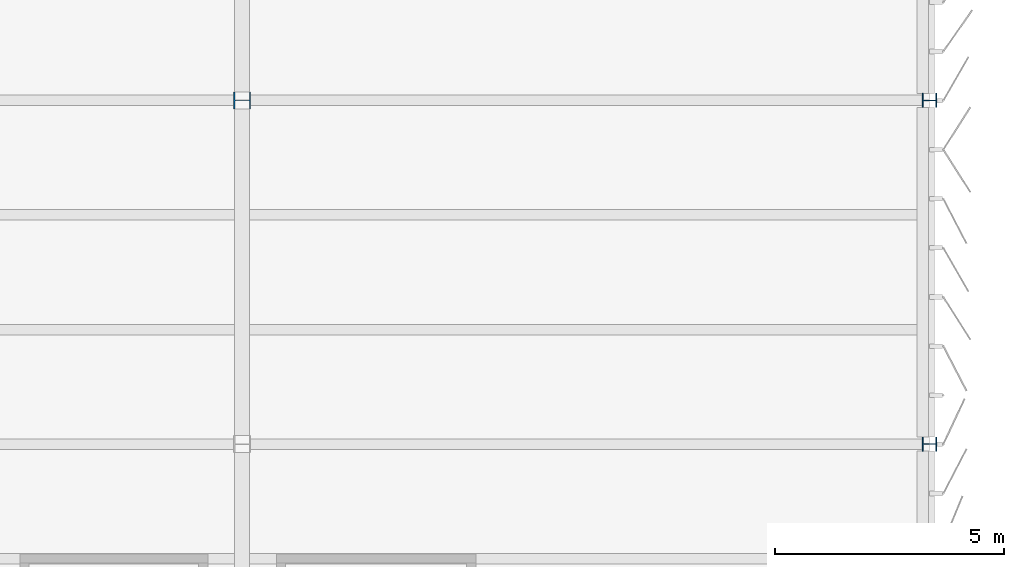
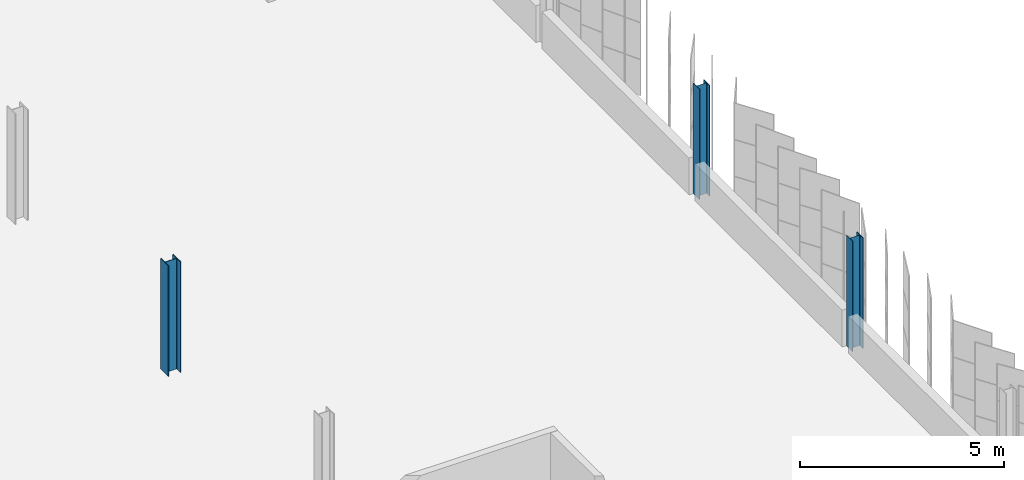
# One storey, part 18 of 199: 3 columns.
"""IFC4 building model written with IfcOpenShell, lengths in metres."""

from ifc_helpers import new_model, si_unit, direction, frame, origin, origin_2d, place, context, subcontext, project, spatial, i_section, extrude, material, material_profile, profile_set, type_object, element, save


model = new_model("IFC4")

# Units and contexts
model_context = context("Model", 3, precision=1e-05, world=origin(), true_north=direction((0.0, 1.0)))
body_context = subcontext(model_context, "Body", "Model", "MODEL_VIEW")
ifc_project = project(units=[si_unit("LENGTHUNIT", "METRE"), si_unit("AREAUNIT", "SQUARE_METRE"), si_unit("VOLUMEUNIT", "CUBIC_METRE"), si_unit("PLANEANGLEUNIT", "RADIAN"), si_unit("MASSUNIT", "GRAM", prefix="KILO")], contexts=[model_context])

# Site, building, storey
site_placement = place(None, origin())
site = spatial("IfcSite", under=ifc_project, at=site_placement, CompositionType="ELEMENT")
building_placement = place(site_placement, origin())
building = spatial("IfcBuilding", under=site, at=building_placement, Name="Parallax Yard Mobility Hub", CompositionType="ELEMENT")
storey_placement = place(building_placement, frame((0.0, 0.0, 9.89990234375)))
storey = spatial("IfcBuildingStorey", under=building, at=storey_placement, Name="L03", CompositionType="ELEMENT", Elevation=9.89990234375)

# Columns
ifc_material = material(Name="Steel ASTM A992", Category="steel")
ifc_material_profile_1 = material_profile(ifc_material, i_section(OverallWidth=0.304931640625, OverallDepth=0.306884765625, WebThickness=0.010009765625, FlangeThickness=0.015380859375, FilletRadius=0.01513671875, at=origin_2d()), Name="W310x97")
ifc_profile_set_1 = profile_set([ifc_material_profile_1], Name="Steel ASTM A992")
column_type_1 = type_object("IfcColumnType", Name="W310x97 column", PredefinedType="COLUMN", material=ifc_profile_set_1)
for number, where, z_axis, x_axis, name in (
    (1, (225.0, 67.5, 0.0), (0.0, 0.0, 1.0), (0.0, 1.0, 0.0), "Column C1 level L03 at K/31 of ramped parking decks"),
    (2, (225.0, 60.0, 0.0), (0.0, 0.0, 1.0), (0.0, 1.0, 0.0), "Column C1 level L03 at J/31 of ramped parking decks"),
):
    element("IfcColumn", number, at=place(storey_placement, frame(where, z_axis=z_axis, x_axis=x_axis)), inside=storey, type_object=column_type_1, Name=name, PredefinedType="COLUMN", context=body_context, shape_type="SweptSolid", body=[
        extrude(i_section(OverallWidth=0.304931640625, OverallDepth=0.306884765625, WebThickness=0.010009765625, FlangeThickness=0.015380859375, FilletRadius=0.01513671875, at=origin_2d()), origin(), (0.0, 0.0, 1.0), 3.300048828125),
    ])
ifc_material_profile_2 = material_profile(ifc_material, i_section(OverallWidth=0.373046875, OverallDepth=0.367919921875, WebThickness=0.014892578125, FlangeThickness=0.02392578125, FilletRadius=0.01513671875, at=origin_2d()), Name="W360x179")
ifc_profile_set_2 = profile_set([ifc_material_profile_2], Name="Steel ASTM A992")
column_type_2 = type_object("IfcColumnType", Name="W360x179 column", PredefinedType="COLUMN", material=ifc_profile_set_2)
column_placement = place(storey_placement, frame((210.0, 67.5, 0.0), z_axis=(0.0, 0.0, 1.0), x_axis=(0.0, 1.0, 0.0)))
element("IfcColumn", 3, at=column_placement, inside=storey, type_object=column_type_2, Name="Column C7 level L03 at K/29 of ramped parking decks", PredefinedType="COLUMN", context=body_context, shape_type="SweptSolid", body=[
    extrude(i_section(OverallWidth=0.373046875, OverallDepth=0.367919921875, WebThickness=0.014892578125, FlangeThickness=0.02392578125, FilletRadius=0.01513671875, at=origin_2d()), origin(), (0.0, 0.0, 1.0), 3.300048828125),
])

save(model, "model.ifc")
